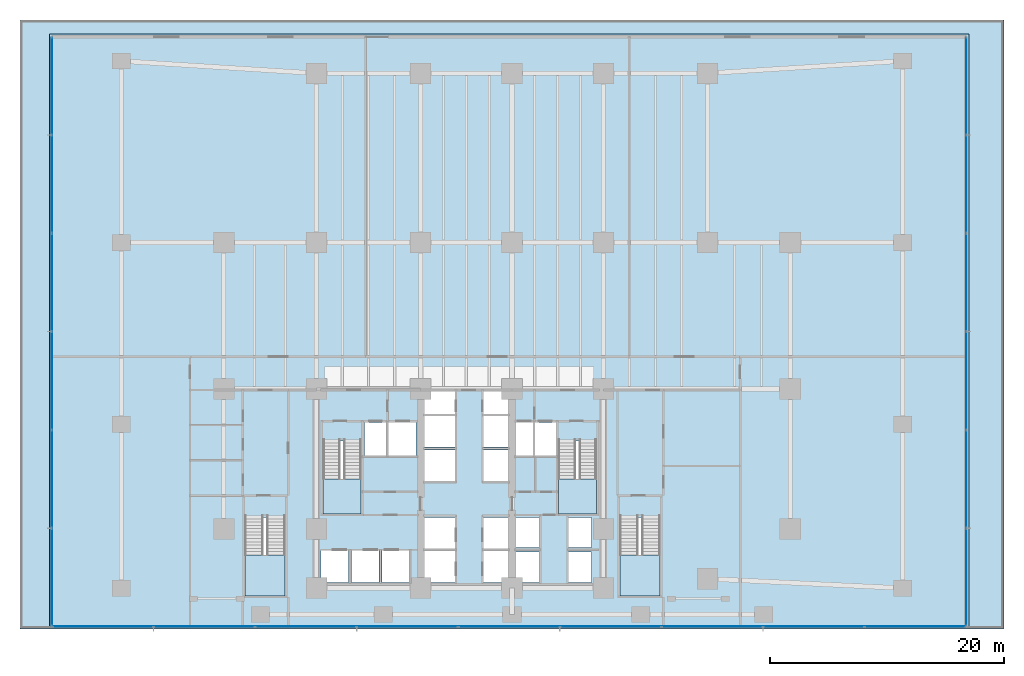
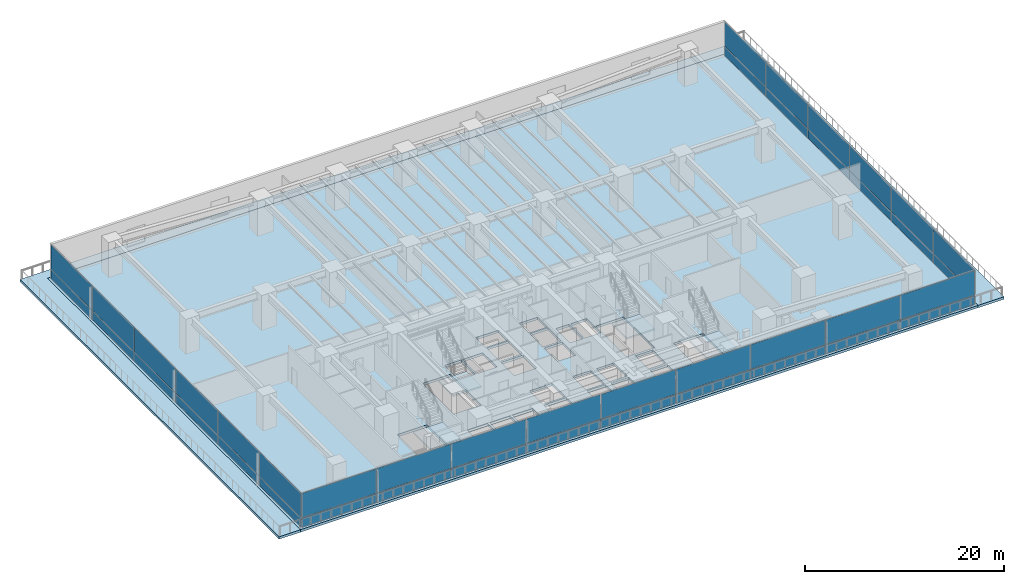
# One storey, part 9 of 27: 42 plates, 6 slabs, 7 elements without a shape of their own.
"""IFC4 building model written with IfcOpenShell, lengths in metres."""

from ifc_helpers import new_model, si_unit, direction, frame, origin, origin_2d, place, context, subcontext, project, spatial, polyline, rectangle, outline, extrude, material, layer, layer_set, type_object, element, aggregate, save


model = new_model("IFC4")

# Units and contexts
model_context = context("Model", 3, precision=1e-05, world=origin(), true_north=direction((0.0, 1.0)))
body_context = subcontext(model_context, "Body", "Model", "MODEL_VIEW")
ifc_project = project(units=[si_unit("LENGTHUNIT", "METRE"), si_unit("AREAUNIT", "SQUARE_METRE"), si_unit("VOLUMEUNIT", "CUBIC_METRE"), si_unit("PLANEANGLEUNIT", "RADIAN"), si_unit("MASSUNIT", "GRAM", prefix="KILO")], contexts=[model_context])

# Site, building, storey
site_placement = place(None, origin())
site = spatial("IfcSite", under=ifc_project, at=site_placement, CompositionType="ELEMENT")
building_placement = place(site_placement, origin())
building = spatial("IfcBuilding", under=site, at=building_placement, Name="Qalmaran Belvedere Hotel", CompositionType="ELEMENT")
storey_placement = place(building_placement, frame((0.0, 0.0, 5.39990234375)))
storey = spatial("IfcBuildingStorey", under=building, at=storey_placement, Name="L01", CompositionType="ELEMENT", Elevation=5.39990234375)

# Curtain wall, plates
ifc_material_1 = material(Name="Anodised Bronze Aluminium", Category="aluminium")
ifc_layer_1 = layer(ifc_material_1, 0.219970703125, Name="Anodised Bronze Aluminium")
ifc_layer_set_1 = layer_set([ifc_layer_1], Name="Anodised Bronze Aluminium")
curtain_wall_type = type_object("IfcCurtainWallType", Name="CW1-PODIUM-BRONZE", PredefinedType="NOTDEFINED", material=ifc_layer_set_1)
curtain_wall_1_placement = place(storey_placement, origin())
curtain_wall_1 = element("IfcCurtainWall", 1, at=curtain_wall_1_placement, inside=storey, type_object=curtain_wall_type, Name="L01 Curtain Wall CW1", PredefinedType="NOTDEFINED")
ifc_material_2 = material(Name="Anodised Bronze Spandrel Panel")
ifc_layer_2 = layer(ifc_material_2, 0.035888671875, Name="Anodised Bronze Spandrel Panel")
ifc_layer_set_2 = layer_set([ifc_layer_2], Name="Anodised Bronze Spandrel Panel")
plate_type_1 = type_object("IfcPlateType", Name="CWP-SPANDREL-36", PredefinedType="CURTAIN_PANEL", material=ifc_layer_set_2)
plate_1_placement = place(storey_placement, frame((2.075439453125, 0.219970703125, 0.070068359375), z_axis=(0.0, 0.0, 1.0), x_axis=(1.0, 0.0, 0.0)))
plate_1 = element("IfcPlate", 2, at=plate_1_placement, type_object=plate_type_1, Name="CW1 panel 1.1", PredefinedType="CURTAIN_PANEL", context=body_context, shape_type="SweptSolid", body=[
    extrude(rectangle(XDim=8.560791015625, YDim=0.035888671875, at=origin_2d()), origin(), (0.0, 0.0, 1.0), 1.09912109375),
])
plate_2_placement = place(storey_placement, frame((10.72998046875, 0.219970703125, 0.070068359375), z_axis=(0.0, 0.0, 1.0), x_axis=(1.0, 0.0, 0.0)))
plate_2 = element("IfcPlate", 3, at=plate_2_placement, type_object=plate_type_1, Name="CW1 panel 2.1", PredefinedType="CURTAIN_PANEL", context=body_context, shape_type="SweptSolid", body=[
    extrude(rectangle(XDim=8.598388671875, YDim=0.035888671875, at=origin_2d()), origin(), (0.0, 0.0, 1.0), 1.09912109375),
])
plate_3_placement = place(storey_placement, frame((19.4033203125, 0.219970703125, 0.070068359375), z_axis=(0.0, 0.0, 1.0), x_axis=(1.0, 0.0, 0.0)))
plate_3 = element("IfcPlate", 4, at=plate_3_placement, type_object=plate_type_1, Name="CW1 panel 3.1", PredefinedType="CURTAIN_PANEL", context=body_context, shape_type="SweptSolid", body=[
    extrude(rectangle(XDim=8.598388671875, YDim=0.035888671875, at=origin_2d()), origin(), (0.0, 0.0, 1.0), 1.09912109375),
])
plate_4_placement = place(storey_placement, frame((28.07666015625, 0.219970703125, 0.070068359375), z_axis=(0.0, 0.0, 1.0), x_axis=(1.0, 0.0, 0.0)))
plate_4 = element("IfcPlate", 5, at=plate_4_placement, type_object=plate_type_1, Name="CW1 panel 4.1", PredefinedType="CURTAIN_PANEL", context=body_context, shape_type="SweptSolid", body=[
    extrude(rectangle(XDim=8.598388671875, YDim=0.035888671875, at=origin_2d()), origin(), (0.0, 0.0, 1.0), 1.09912109375),
])
plate_5_placement = place(storey_placement, frame((36.75, 0.219970703125, 0.070068359375), z_axis=(0.0, 0.0, 1.0), x_axis=(1.0, 0.0, 0.0)))
plate_5 = element("IfcPlate", 6, at=plate_5_placement, type_object=plate_type_1, Name="CW1 panel 5.1", PredefinedType="CURTAIN_PANEL", context=body_context, shape_type="SweptSolid", body=[
    extrude(rectangle(XDim=8.598388671875, YDim=0.035888671875, at=origin_2d()), origin(), (0.0, 0.0, 1.0), 1.09912109375),
])
plate_6_placement = place(storey_placement, frame((45.42333984375, 0.219970703125, 0.070068359375), z_axis=(0.0, 0.0, 1.0), x_axis=(1.0, 0.0, 0.0)))
plate_6 = element("IfcPlate", 7, at=plate_6_placement, type_object=plate_type_1, Name="CW1 panel 6.1", PredefinedType="CURTAIN_PANEL", context=body_context, shape_type="SweptSolid", body=[
    extrude(rectangle(XDim=8.598388671875, YDim=0.035888671875, at=origin_2d()), origin(), (0.0, 0.0, 1.0), 1.09912109375),
])
plate_7_placement = place(storey_placement, frame((54.0966796875, 0.219970703125, 0.070068359375), z_axis=(0.0, 0.0, 1.0), x_axis=(1.0, 0.0, 0.0)))
plate_7 = element("IfcPlate", 8, at=plate_7_placement, type_object=plate_type_1, Name="CW1 panel 7.1", PredefinedType="CURTAIN_PANEL", context=body_context, shape_type="SweptSolid", body=[
    extrude(rectangle(XDim=8.598388671875, YDim=0.035888671875, at=origin_2d()), origin(), (0.0, 0.0, 1.0), 1.09912109375),
])
plate_8_placement = place(storey_placement, frame((62.77001953125, 0.219970703125, 0.070068359375), z_axis=(0.0, 0.0, 1.0), x_axis=(1.0, 0.0, 0.0)))
plate_8 = element("IfcPlate", 9, at=plate_8_placement, type_object=plate_type_1, Name="CW1 panel 8.1", PredefinedType="CURTAIN_PANEL", context=body_context, shape_type="SweptSolid", body=[
    extrude(rectangle(XDim=8.598388671875, YDim=0.035888671875, at=origin_2d()), origin(), (0.0, 0.0, 1.0), 1.09912109375),
])
plate_9_placement = place(storey_placement, frame((71.424560546875, 0.219970703125, 0.070068359375), z_axis=(0.0, 0.0, 1.0), x_axis=(1.0, 0.0, 0.0)))
plate_9 = element("IfcPlate", 10, at=plate_9_placement, type_object=plate_type_1, Name="CW1 panel 9.1", PredefinedType="CURTAIN_PANEL", context=body_context, shape_type="SweptSolid", body=[
    extrude(rectangle(XDim=8.560791015625, YDim=0.035888671875, at=origin_2d()), origin(), (0.0, 0.0, 1.0), 1.09912109375),
])

curtain_wall_2_placement = place(storey_placement, origin())
curtain_wall_2 = element("IfcCurtainWall", 11, at=curtain_wall_2_placement, inside=storey, type_object=curtain_wall_type, Name="L01 Curtain Wall CW1", PredefinedType="NOTDEFINED")
plate_10_placement = place(storey_placement, frame((75.780029296875, 4.435302734375, 0.070068359375), z_axis=(0.0, 0.0, 1.0), x_axis=(0.0, 1.0, 0.0)))
plate_10 = element("IfcPlate", 12, at=plate_10_placement, type_object=plate_type_1, Name="CW1 panel 1.1", PredefinedType="CURTAIN_PANEL", context=body_context, shape_type="SweptSolid", body=[
    extrude(rectangle(XDim=8.28076171875, YDim=0.035888671875, at=origin_2d()), origin(), (0.0, 0.0, 1.0), 1.09912109375),
])
plate_11_placement = place(storey_placement, frame((75.780029296875, 12.81005859375, 0.070068359375), z_axis=(0.0, 0.0, 1.0), x_axis=(0.0, 1.0, 0.0)))
plate_11 = element("IfcPlate", 13, at=plate_11_placement, type_object=plate_type_1, Name="CW1 panel 2.1", PredefinedType="CURTAIN_PANEL", context=body_context, shape_type="SweptSolid", body=[
    extrude(rectangle(XDim=8.318359375, YDim=0.035888671875, at=origin_2d()), origin(), (0.0, 0.0, 1.0), 1.09912109375),
])
plate_12_placement = place(storey_placement, frame((75.780029296875, 21.203369140625, 0.070068359375), z_axis=(0.0, 0.0, 1.0), x_axis=(0.0, 1.0, 0.0)))
plate_12 = element("IfcPlate", 14, at=plate_12_placement, type_object=plate_type_1, Name="CW1 panel 3.1", PredefinedType="CURTAIN_PANEL", context=body_context, shape_type="SweptSolid", body=[
    extrude(rectangle(XDim=8.318359375, YDim=0.035888671875, at=origin_2d()), origin(), (0.0, 0.0, 1.0), 1.09912109375),
])
plate_13_placement = place(storey_placement, frame((75.780029296875, 29.5966796875, 0.070068359375), z_axis=(0.0, 0.0, 1.0), x_axis=(0.0, 1.0, 0.0)))
plate_13 = element("IfcPlate", 15, at=plate_13_placement, type_object=plate_type_1, Name="CW1 panel 4.1", PredefinedType="CURTAIN_PANEL", context=body_context, shape_type="SweptSolid", body=[
    extrude(rectangle(XDim=8.318359375, YDim=0.035888671875, at=origin_2d()), origin(), (0.0, 0.0, 1.0), 1.09912109375),
])
plate_14_placement = place(storey_placement, frame((75.780029296875, 37.989990234375, 0.070068359375), z_axis=(0.0, 0.0, 1.0), x_axis=(0.0, 1.0, 0.0)))
plate_14 = element("IfcPlate", 16, at=plate_14_placement, type_object=plate_type_1, Name="CW1 panel 5.1", PredefinedType="CURTAIN_PANEL", context=body_context, shape_type="SweptSolid", body=[
    extrude(rectangle(XDim=8.318359375, YDim=0.035888671875, at=origin_2d()), origin(), (0.0, 0.0, 1.0), 1.09912109375),
])
plate_15_placement = place(storey_placement, frame((75.780029296875, 46.364501953125, 0.070068359375), z_axis=(0.0, 0.0, 1.0), x_axis=(0.0, 1.0, 0.0)))
plate_15 = element("IfcPlate", 17, at=plate_15_placement, type_object=plate_type_1, Name="CW1 panel 6.1", PredefinedType="CURTAIN_PANEL", context=body_context, shape_type="SweptSolid", body=[
    extrude(rectangle(XDim=8.28076171875, YDim=0.035888671875, at=origin_2d()), origin(), (0.0, 0.0, 1.0), 1.09912109375),
])

curtain_wall_3_placement = place(storey_placement, origin())
curtain_wall_3 = element("IfcCurtainWall", 18, at=curtain_wall_3_placement, inside=storey, type_object=curtain_wall_type, Name="L01 Curtain Wall CW1", PredefinedType="NOTDEFINED")
plate_16_placement = place(storey_placement, frame((-2.280029296875, 46.364501953125, 0.070068359375), z_axis=(0.0, 0.0, 1.0), x_axis=(0.0, -1.0, 0.0)))
plate_16 = element("IfcPlate", 19, at=plate_16_placement, type_object=plate_type_1, Name="CW1 panel 1.1", PredefinedType="CURTAIN_PANEL", context=body_context, shape_type="SweptSolid", body=[
    extrude(rectangle(XDim=8.28076171875, YDim=0.035888671875, at=origin_2d()), origin(), (0.0, 0.0, 1.0), 1.09912109375),
])
plate_17_placement = place(storey_placement, frame((-2.280029296875, 37.989990234375, 0.070068359375), z_axis=(0.0, 0.0, 1.0), x_axis=(0.0, -1.0, 0.0)))
plate_17 = element("IfcPlate", 20, at=plate_17_placement, type_object=plate_type_1, Name="CW1 panel 2.1", PredefinedType="CURTAIN_PANEL", context=body_context, shape_type="SweptSolid", body=[
    extrude(rectangle(XDim=8.318359375, YDim=0.035888671875, at=origin_2d()), origin(), (0.0, 0.0, 1.0), 1.09912109375),
])
plate_18_placement = place(storey_placement, frame((-2.280029296875, 29.5966796875, 0.070068359375), z_axis=(0.0, 0.0, 1.0), x_axis=(0.0, -1.0, 0.0)))
plate_18 = element("IfcPlate", 21, at=plate_18_placement, type_object=plate_type_1, Name="CW1 panel 3.1", PredefinedType="CURTAIN_PANEL", context=body_context, shape_type="SweptSolid", body=[
    extrude(rectangle(XDim=8.318359375, YDim=0.035888671875, at=origin_2d()), origin(), (0.0, 0.0, 1.0), 1.09912109375),
])
plate_19_placement = place(storey_placement, frame((-2.280029296875, 21.203369140625, 0.070068359375), z_axis=(0.0, 0.0, 1.0), x_axis=(0.0, -1.0, 0.0)))
plate_19 = element("IfcPlate", 22, at=plate_19_placement, type_object=plate_type_1, Name="CW1 panel 4.1", PredefinedType="CURTAIN_PANEL", context=body_context, shape_type="SweptSolid", body=[
    extrude(rectangle(XDim=8.318359375, YDim=0.035888671875, at=origin_2d()), origin(), (0.0, 0.0, 1.0), 1.09912109375),
])
plate_20_placement = place(storey_placement, frame((-2.280029296875, 12.81005859375, 0.070068359375), z_axis=(0.0, 0.0, 1.0), x_axis=(0.0, -1.0, 0.0)))
plate_20 = element("IfcPlate", 23, at=plate_20_placement, type_object=plate_type_1, Name="CW1 panel 5.1", PredefinedType="CURTAIN_PANEL", context=body_context, shape_type="SweptSolid", body=[
    extrude(rectangle(XDim=8.318359375, YDim=0.035888671875, at=origin_2d()), origin(), (0.0, 0.0, 1.0), 1.09912109375),
])
plate_21_placement = place(storey_placement, frame((-2.280029296875, 4.435302734375, 0.070068359375), z_axis=(0.0, 0.0, 1.0), x_axis=(0.0, -1.0, 0.0)))
plate_21 = element("IfcPlate", 24, at=plate_21_placement, type_object=plate_type_1, Name="CW1 panel 6.1", PredefinedType="CURTAIN_PANEL", context=body_context, shape_type="SweptSolid", body=[
    extrude(rectangle(XDim=8.28076171875, YDim=0.035888671875, at=origin_2d()), origin(), (0.0, 0.0, 1.0), 1.09912109375),
])

# Plate
ifc_material_3 = material(Name="Solar-Control Double Glazing", Category="glass")
ifc_layer_3 = layer(ifc_material_3, 0.028076171875, Name="Solar-Control Double Glazing")
ifc_layer_set_3 = layer_set([ifc_layer_3], Name="Solar-Control Double Glazing")
plate_type_2 = type_object("IfcPlateType", Name="CWP-VISION-28", PredefinedType="CURTAIN_PANEL", material=ifc_layer_set_3)
plate_22_placement = place(storey_placement, frame((2.075439453125, 0.219970703125, 1.2392578125), z_axis=(0.0, 0.0, 1.0), x_axis=(1.0, 0.0, 0.0)))
plate_22 = element("IfcPlate", 25, at=plate_22_placement, type_object=plate_type_2, Name="CW1 panel 1.2", PredefinedType="CURTAIN_PANEL", context=body_context, shape_type="SweptSolid", body=[
    extrude(rectangle(XDim=8.560791015625, YDim=0.028076171875, at=origin_2d()), origin(), (0.0, 0.0, 1.0), 2.990966796875),
])

plate_23_placement = place(storey_placement, frame((10.72998046875, 0.219970703125, 1.2392578125), z_axis=(0.0, 0.0, 1.0), x_axis=(1.0, 0.0, 0.0)))
plate_23 = element("IfcPlate", 26, at=plate_23_placement, type_object=plate_type_2, Name="CW1 panel 2.2", PredefinedType="CURTAIN_PANEL", context=body_context, shape_type="SweptSolid", body=[
    extrude(rectangle(XDim=8.598388671875, YDim=0.028076171875, at=origin_2d()), origin(), (0.0, 0.0, 1.0), 2.990966796875),
])

plate_24_placement = place(storey_placement, frame((19.4033203125, 0.219970703125, 1.2392578125), z_axis=(0.0, 0.0, 1.0), x_axis=(1.0, 0.0, 0.0)))
plate_24 = element("IfcPlate", 27, at=plate_24_placement, type_object=plate_type_2, Name="CW1 panel 3.2", PredefinedType="CURTAIN_PANEL", context=body_context, shape_type="SweptSolid", body=[
    extrude(rectangle(XDim=8.598388671875, YDim=0.028076171875, at=origin_2d()), origin(), (0.0, 0.0, 1.0), 2.990966796875),
])

plate_25_placement = place(storey_placement, frame((28.07666015625, 0.219970703125, 1.2392578125), z_axis=(0.0, 0.0, 1.0), x_axis=(1.0, 0.0, 0.0)))
plate_25 = element("IfcPlate", 28, at=plate_25_placement, type_object=plate_type_2, Name="CW1 panel 4.2", PredefinedType="CURTAIN_PANEL", context=body_context, shape_type="SweptSolid", body=[
    extrude(rectangle(XDim=8.598388671875, YDim=0.028076171875, at=origin_2d()), origin(), (0.0, 0.0, 1.0), 2.990966796875),
])

plate_26_placement = place(storey_placement, frame((36.75, 0.219970703125, 1.2392578125), z_axis=(0.0, 0.0, 1.0), x_axis=(1.0, 0.0, 0.0)))
plate_26 = element("IfcPlate", 29, at=plate_26_placement, type_object=plate_type_2, Name="CW1 panel 5.2", PredefinedType="CURTAIN_PANEL", context=body_context, shape_type="SweptSolid", body=[
    extrude(rectangle(XDim=8.598388671875, YDim=0.028076171875, at=origin_2d()), origin(), (0.0, 0.0, 1.0), 2.990966796875),
])

plate_27_placement = place(storey_placement, frame((45.42333984375, 0.219970703125, 1.2392578125), z_axis=(0.0, 0.0, 1.0), x_axis=(1.0, 0.0, 0.0)))
plate_27 = element("IfcPlate", 30, at=plate_27_placement, type_object=plate_type_2, Name="CW1 panel 6.2", PredefinedType="CURTAIN_PANEL", context=body_context, shape_type="SweptSolid", body=[
    extrude(rectangle(XDim=8.598388671875, YDim=0.028076171875, at=origin_2d()), origin(), (0.0, 0.0, 1.0), 2.990966796875),
])

plate_28_placement = place(storey_placement, frame((54.0966796875, 0.219970703125, 1.2392578125), z_axis=(0.0, 0.0, 1.0), x_axis=(1.0, 0.0, 0.0)))
plate_28 = element("IfcPlate", 31, at=plate_28_placement, type_object=plate_type_2, Name="CW1 panel 7.2", PredefinedType="CURTAIN_PANEL", context=body_context, shape_type="SweptSolid", body=[
    extrude(rectangle(XDim=8.598388671875, YDim=0.028076171875, at=origin_2d()), origin(), (0.0, 0.0, 1.0), 2.990966796875),
])

plate_29_placement = place(storey_placement, frame((62.77001953125, 0.219970703125, 1.2392578125), z_axis=(0.0, 0.0, 1.0), x_axis=(1.0, 0.0, 0.0)))
plate_29 = element("IfcPlate", 32, at=plate_29_placement, type_object=plate_type_2, Name="CW1 panel 8.2", PredefinedType="CURTAIN_PANEL", context=body_context, shape_type="SweptSolid", body=[
    extrude(rectangle(XDim=8.598388671875, YDim=0.028076171875, at=origin_2d()), origin(), (0.0, 0.0, 1.0), 2.990966796875),
])

plate_30_placement = place(storey_placement, frame((71.424560546875, 0.219970703125, 1.2392578125), z_axis=(0.0, 0.0, 1.0), x_axis=(1.0, 0.0, 0.0)))
plate_30 = element("IfcPlate", 33, at=plate_30_placement, type_object=plate_type_2, Name="CW1 panel 9.2", PredefinedType="CURTAIN_PANEL", context=body_context, shape_type="SweptSolid", body=[
    extrude(rectangle(XDim=8.560791015625, YDim=0.028076171875, at=origin_2d()), origin(), (0.0, 0.0, 1.0), 2.990966796875),
])

aggregate(curtain_wall_1, [plate_1, plate_22, plate_2, plate_23, plate_3, plate_24, plate_4, plate_25, plate_5, plate_26, plate_6, plate_27, plate_7, plate_28, plate_8, plate_29, plate_9, plate_30])

plate_31_placement = place(storey_placement, frame((75.780029296875, 4.435302734375, 1.2392578125), z_axis=(0.0, 0.0, 1.0), x_axis=(0.0, 1.0, 0.0)))
plate_31 = element("IfcPlate", 34, at=plate_31_placement, type_object=plate_type_2, Name="CW1 panel 1.2", PredefinedType="CURTAIN_PANEL", context=body_context, shape_type="SweptSolid", body=[
    extrude(rectangle(XDim=8.28076171875, YDim=0.028076171875, at=origin_2d()), origin(), (0.0, 0.0, 1.0), 2.990966796875),
])

plate_32_placement = place(storey_placement, frame((75.780029296875, 12.81005859375, 1.2392578125), z_axis=(0.0, 0.0, 1.0), x_axis=(0.0, 1.0, 0.0)))
plate_32 = element("IfcPlate", 35, at=plate_32_placement, type_object=plate_type_2, Name="CW1 panel 2.2", PredefinedType="CURTAIN_PANEL", context=body_context, shape_type="SweptSolid", body=[
    extrude(rectangle(XDim=8.318359375, YDim=0.028076171875, at=origin_2d()), origin(), (0.0, 0.0, 1.0), 2.990966796875),
])

plate_33_placement = place(storey_placement, frame((75.780029296875, 21.203369140625, 1.2392578125), z_axis=(0.0, 0.0, 1.0), x_axis=(0.0, 1.0, 0.0)))
plate_33 = element("IfcPlate", 36, at=plate_33_placement, type_object=plate_type_2, Name="CW1 panel 3.2", PredefinedType="CURTAIN_PANEL", context=body_context, shape_type="SweptSolid", body=[
    extrude(rectangle(XDim=8.318359375, YDim=0.028076171875, at=origin_2d()), origin(), (0.0, 0.0, 1.0), 2.990966796875),
])

plate_34_placement = place(storey_placement, frame((75.780029296875, 29.5966796875, 1.2392578125), z_axis=(0.0, 0.0, 1.0), x_axis=(0.0, 1.0, 0.0)))
plate_34 = element("IfcPlate", 37, at=plate_34_placement, type_object=plate_type_2, Name="CW1 panel 4.2", PredefinedType="CURTAIN_PANEL", context=body_context, shape_type="SweptSolid", body=[
    extrude(rectangle(XDim=8.318359375, YDim=0.028076171875, at=origin_2d()), origin(), (0.0, 0.0, 1.0), 2.990966796875),
])

plate_35_placement = place(storey_placement, frame((75.780029296875, 37.989990234375, 1.2392578125), z_axis=(0.0, 0.0, 1.0), x_axis=(0.0, 1.0, 0.0)))
plate_35 = element("IfcPlate", 38, at=plate_35_placement, type_object=plate_type_2, Name="CW1 panel 5.2", PredefinedType="CURTAIN_PANEL", context=body_context, shape_type="SweptSolid", body=[
    extrude(rectangle(XDim=8.318359375, YDim=0.028076171875, at=origin_2d()), origin(), (0.0, 0.0, 1.0), 2.990966796875),
])

plate_36_placement = place(storey_placement, frame((75.780029296875, 46.364501953125, 1.2392578125), z_axis=(0.0, 0.0, 1.0), x_axis=(0.0, 1.0, 0.0)))
plate_36 = element("IfcPlate", 39, at=plate_36_placement, type_object=plate_type_2, Name="CW1 panel 6.2", PredefinedType="CURTAIN_PANEL", context=body_context, shape_type="SweptSolid", body=[
    extrude(rectangle(XDim=8.28076171875, YDim=0.028076171875, at=origin_2d()), origin(), (0.0, 0.0, 1.0), 2.990966796875),
])

aggregate(curtain_wall_2, [plate_10, plate_31, plate_11, plate_32, plate_12, plate_33, plate_13, plate_34, plate_14, plate_35, plate_15, plate_36])

plate_37_placement = place(storey_placement, frame((-2.280029296875, 46.364501953125, 1.2392578125), z_axis=(0.0, 0.0, 1.0), x_axis=(0.0, -1.0, 0.0)))
plate_37 = element("IfcPlate", 40, at=plate_37_placement, type_object=plate_type_2, Name="CW1 panel 1.2", PredefinedType="CURTAIN_PANEL", context=body_context, shape_type="SweptSolid", body=[
    extrude(rectangle(XDim=8.28076171875, YDim=0.028076171875, at=origin_2d()), origin(), (0.0, 0.0, 1.0), 2.990966796875),
])

plate_38_placement = place(storey_placement, frame((-2.280029296875, 37.989990234375, 1.2392578125), z_axis=(0.0, 0.0, 1.0), x_axis=(0.0, -1.0, 0.0)))
plate_38 = element("IfcPlate", 41, at=plate_38_placement, type_object=plate_type_2, Name="CW1 panel 2.2", PredefinedType="CURTAIN_PANEL", context=body_context, shape_type="SweptSolid", body=[
    extrude(rectangle(XDim=8.318359375, YDim=0.028076171875, at=origin_2d()), origin(), (0.0, 0.0, 1.0), 2.990966796875),
])

plate_39_placement = place(storey_placement, frame((-2.280029296875, 29.5966796875, 1.2392578125), z_axis=(0.0, 0.0, 1.0), x_axis=(0.0, -1.0, 0.0)))
plate_39 = element("IfcPlate", 42, at=plate_39_placement, type_object=plate_type_2, Name="CW1 panel 3.2", PredefinedType="CURTAIN_PANEL", context=body_context, shape_type="SweptSolid", body=[
    extrude(rectangle(XDim=8.318359375, YDim=0.028076171875, at=origin_2d()), origin(), (0.0, 0.0, 1.0), 2.990966796875),
])

plate_40_placement = place(storey_placement, frame((-2.280029296875, 21.203369140625, 1.2392578125), z_axis=(0.0, 0.0, 1.0), x_axis=(0.0, -1.0, 0.0)))
plate_40 = element("IfcPlate", 43, at=plate_40_placement, type_object=plate_type_2, Name="CW1 panel 4.2", PredefinedType="CURTAIN_PANEL", context=body_context, shape_type="SweptSolid", body=[
    extrude(rectangle(XDim=8.318359375, YDim=0.028076171875, at=origin_2d()), origin(), (0.0, 0.0, 1.0), 2.990966796875),
])

plate_41_placement = place(storey_placement, frame((-2.280029296875, 12.81005859375, 1.2392578125), z_axis=(0.0, 0.0, 1.0), x_axis=(0.0, -1.0, 0.0)))
plate_41 = element("IfcPlate", 44, at=plate_41_placement, type_object=plate_type_2, Name="CW1 panel 5.2", PredefinedType="CURTAIN_PANEL", context=body_context, shape_type="SweptSolid", body=[
    extrude(rectangle(XDim=8.318359375, YDim=0.028076171875, at=origin_2d()), origin(), (0.0, 0.0, 1.0), 2.990966796875),
])

plate_42_placement = place(storey_placement, frame((-2.280029296875, 4.435302734375, 1.2392578125), z_axis=(0.0, 0.0, 1.0), x_axis=(0.0, -1.0, 0.0)))
plate_42 = element("IfcPlate", 45, at=plate_42_placement, type_object=plate_type_2, Name="CW1 panel 6.2", PredefinedType="CURTAIN_PANEL", context=body_context, shape_type="SweptSolid", body=[
    extrude(rectangle(XDim=8.28076171875, YDim=0.028076171875, at=origin_2d()), origin(), (0.0, 0.0, 1.0), 2.990966796875),
])

aggregate(curtain_wall_3, [plate_16, plate_37, plate_17, plate_38, plate_18, plate_39, plate_19, plate_40, plate_20, plate_41, plate_21, plate_42])

# Slab
ifc_material_4 = material(Name="Concrete C40/50", Category="concrete")
ifc_layer_4 = layer(ifc_material_4, 0.300048828125, Name="Concrete C40/50")
ifc_layer_set_4 = layer_set([ifc_layer_4], Name="Concrete C40/50")
slab_type_1 = type_object("IfcSlabType", Name="SLB-POD-300", PredefinedType="FLOOR", material=ifc_layer_set_4)
slab_1_placement = place(storey_placement, frame((0.0, 0.0, -0.2998046875)))
element("IfcSlab", 46, at=slab_1_placement, inside=storey, type_object=slab_type_1, Name="L01 Structural Floor Slab", PredefinedType="FLOOR", context=body_context, shape_type="SweptSolid", body=[
    extrude(outline(polyline([(-2.5, 0.0), (76.0, 0.0), (76.0, 50.800048828125), (-2.5, 50.800048828125), (-2.5, 0.0)]), holes=[polyline([(20.8798828125, 9.85009765625), (24.1201171875, 9.85009765625), (24.1201171875, 16.0400390625), (20.8798828125, 16.0400390625), (20.8798828125, 9.85009765625)]), polyline([(40.9599609375, 9.85009765625), (44.199951171875, 9.85009765625), (44.199951171875, 16.0400390625), (40.9599609375, 16.0400390625), (40.9599609375, 9.85009765625)]), polyline([(14.199951171875, 2.85009765625), (17.639892578125, 2.85009765625), (17.639892578125, 9.550048828125), (14.199951171875, 9.550048828125), (14.199951171875, 2.85009765625)]), polyline([(46.199951171875, 2.85009765625), (49.639892578125, 2.85009765625), (49.639892578125, 9.550048828125), (46.199951171875, 9.550048828125), (46.199951171875, 2.85009765625)]), polyline([(29.544921875, 4.0), (32.14990234375, 4.0), (32.14990234375, 6.64990234375), (29.544921875, 6.64990234375), (29.544921875, 4.0)]), polyline([(29.544921875, 6.89990234375), (32.14990234375, 6.89990234375), (32.14990234375, 9.550048828125), (29.544921875, 9.550048828125), (29.544921875, 6.89990234375)]), polyline([(34.550048828125, 4.0), (36.655029296875, 4.0), (36.655029296875, 6.64990234375), (34.550048828125, 6.64990234375), (34.550048828125, 4.0)]), polyline([(34.550048828125, 6.89990234375), (36.655029296875, 6.89990234375), (36.655029296875, 9.550048828125), (34.550048828125, 9.550048828125), (34.550048828125, 6.89990234375)]), polyline([(29.544921875, 12.64990234375), (32.14990234375, 12.64990234375), (32.14990234375, 15.300048828125), (29.544921875, 15.300048828125), (29.544921875, 12.64990234375)]), polyline([(29.544921875, 15.550048828125), (32.14990234375, 15.550048828125), (32.14990234375, 18.199951171875), (29.544921875, 18.199951171875), (29.544921875, 15.550048828125)]), polyline([(34.550048828125, 12.64990234375), (36.655029296875, 12.64990234375), (36.655029296875, 15.300048828125), (34.550048828125, 15.300048828125), (34.550048828125, 12.64990234375)]), polyline([(34.550048828125, 15.550048828125), (36.655029296875, 15.550048828125), (36.655029296875, 18.199951171875), (34.550048828125, 18.199951171875), (34.550048828125, 15.550048828125)]), polyline([(37.300048828125, 4.0), (39.35009765625, 4.0), (39.35009765625, 6.60009765625), (37.300048828125, 6.60009765625), (37.300048828125, 4.0)]), polyline([(37.300048828125, 6.949951171875), (39.35009765625, 6.949951171875), (39.35009765625, 9.550048828125), (37.300048828125, 9.550048828125), (37.300048828125, 6.949951171875)]), polyline([(41.800048828125, 4.0), (43.800048828125, 4.0), (43.800048828125, 6.60009765625), (41.800048828125, 6.60009765625), (41.800048828125, 4.0)]), polyline([(41.800048828125, 6.949951171875), (43.800048828125, 6.949951171875), (43.800048828125, 9.550048828125), (41.800048828125, 9.550048828125), (41.800048828125, 6.949951171875)]), polyline([(20.699951171875, 4.0), (23.050048828125, 4.0), (23.050048828125, 6.699951171875), (20.699951171875, 6.699951171875), (20.699951171875, 4.0)]), polyline([(23.300048828125, 4.0), (25.64990234375, 4.0), (25.64990234375, 6.699951171875), (23.300048828125, 6.699951171875), (23.300048828125, 4.0)]), polyline([(25.89990234375, 4.0), (28.25, 4.0), (28.25, 6.699951171875), (25.89990234375, 6.699951171875), (25.89990234375, 4.0)]), polyline([(24.39990234375, 14.800048828125), (26.300048828125, 14.800048828125), (26.300048828125, 17.64990234375), (24.39990234375, 17.64990234375), (24.39990234375, 14.800048828125)]), polyline([(38.949951171875, 14.800048828125), (40.820068359375, 14.800048828125), (40.820068359375, 17.64990234375), (38.949951171875, 17.64990234375), (38.949951171875, 14.800048828125)]), polyline([(26.449951171875, 14.800048828125), (28.800048828125, 14.800048828125), (28.800048828125, 17.64990234375), (26.449951171875, 17.64990234375), (26.449951171875, 14.800048828125)]), polyline([(37.25, 14.800048828125), (38.800048828125, 14.800048828125), (38.800048828125, 17.64990234375), (37.25, 17.64990234375), (37.25, 14.800048828125)]), polyline([(29.544921875, 18.3798828125), (32.1201171875, 18.3798828125), (32.1201171875, 20.300048828125), (29.544921875, 20.300048828125), (29.544921875, 18.3798828125)]), polyline([(34.580078125, 18.3798828125), (36.655029296875, 18.3798828125), (36.655029296875, 20.300048828125), (34.580078125, 20.300048828125), (34.580078125, 18.3798828125)])]), origin(), (0.0, 0.0, 1.0), 0.2998046875),
])

# Stair, slab
stair_type_1 = type_object("IfcStairType", Name="STR-ST-1-1450-R1769", PredefinedType="HALF_TURN_STAIR", material=ifc_material_4)
stair_1_placement = place(storey_placement, origin())
stair_1 = element("IfcStair", 47, at=stair_1_placement, inside=storey, type_object=stair_type_1, Name="L01 West Core Exit Stair ST-1", PredefinedType="HALF_TURN_STAIR")
ifc_layer_5 = layer(ifc_material_4, 0.199951171875, Name="Concrete C40/50")
ifc_layer_set_5 = layer_set([ifc_layer_5], Name="Concrete C40/50")
slab_type_2 = type_object("IfcSlabType", Name="SLB-STAIR-LANDING-200", PredefinedType="LANDING", material=ifc_layer_set_5)
slab_2_placement = place(storey_placement, frame((0.0, 0.0, 2.10009765625)))
slab_2 = element("IfcSlab", 48, at=slab_2_placement, type_object=slab_type_2, Name="ST-1 landing 1", PredefinedType="LANDING", context=body_context, shape_type="SweptSolid", body=[
    extrude(outline(polyline([(20.8798828125, 12.830078125), (20.8798828125, 9.85009765625), (24.1201171875, 9.85009765625), (24.1201171875, 12.830078125), (20.8798828125, 12.830078125)])), origin(), (0.0, 0.0, 1.0), 0.199951171875),
])
aggregate(stair_1, [slab_2])

stair_type_2 = type_object("IfcStairType", Name="STR-ST-2-1450-R1769", PredefinedType="HALF_TURN_STAIR", material=ifc_material_4)
stair_2_placement = place(storey_placement, origin())
stair_2 = element("IfcStair", 49, at=stair_2_placement, inside=storey, type_object=stair_type_2, Name="L01 East Core Exit Stair ST-2", PredefinedType="HALF_TURN_STAIR")
slab_3_placement = place(storey_placement, frame((0.0, 0.0, 2.10009765625)))
slab_3 = element("IfcSlab", 50, at=slab_3_placement, type_object=slab_type_2, Name="ST-2 landing 1", PredefinedType="LANDING", context=body_context, shape_type="SweptSolid", body=[
    extrude(outline(polyline([(40.9599609375, 12.830078125), (40.9599609375, 9.85009765625), (44.199951171875, 9.85009765625), (44.199951171875, 12.830078125), (40.9599609375, 12.830078125)])), origin(), (0.0, 0.0, 1.0), 0.199951171875),
])
aggregate(stair_2, [slab_3])

stair_type_3 = type_object("IfcStairType", Name="STR-ST-P1-1550-R1769", PredefinedType="HALF_TURN_STAIR", material=ifc_material_4)
stair_3_placement = place(storey_placement, origin())
stair_3 = element("IfcStair", 51, at=stair_3_placement, inside=storey, type_object=stair_type_3, Name="L01 West Podium Exit Stair ST-P1", PredefinedType="HALF_TURN_STAIR")
slab_4_placement = place(storey_placement, frame((0.0, 0.0, 2.10009765625)))
slab_4 = element("IfcSlab", 52, at=slab_4_placement, type_object=slab_type_2, Name="ST-P1 landing 1", PredefinedType="LANDING", context=body_context, shape_type="SweptSolid", body=[
    extrude(outline(polyline([(14.199951171875, 6.340087890625), (14.199951171875, 2.85009765625), (17.639892578125, 2.85009765625), (17.639892578125, 6.340087890625), (14.199951171875, 6.340087890625)])), origin(), (0.0, 0.0, 1.0), 0.199951171875),
])
aggregate(stair_3, [slab_4])

stair_type_4 = type_object("IfcStairType", Name="STR-ST-P2-1550-R1769", PredefinedType="HALF_TURN_STAIR", material=ifc_material_4)
stair_4_placement = place(storey_placement, origin())
stair_4 = element("IfcStair", 53, at=stair_4_placement, inside=storey, type_object=stair_type_4, Name="L01 East Podium Exit Stair ST-P2", PredefinedType="HALF_TURN_STAIR")
slab_5_placement = place(storey_placement, frame((0.0, 0.0, 2.10009765625)))
slab_5 = element("IfcSlab", 54, at=slab_5_placement, type_object=slab_type_2, Name="ST-P2 landing 1", PredefinedType="LANDING", context=body_context, shape_type="SweptSolid", body=[
    extrude(outline(polyline([(46.199951171875, 6.340087890625), (46.199951171875, 2.85009765625), (49.639892578125, 2.85009765625), (49.639892578125, 6.340087890625), (46.199951171875, 6.340087890625)])), origin(), (0.0, 0.0, 1.0), 0.199951171875),
])
aggregate(stair_4, [slab_5])

# Slab
ifc_layer_6 = layer(ifc_material_4, 0.300048828125, Name="Concrete C40/50")
ifc_layer_set_6 = layer_set([ifc_layer_6], Name="Concrete C40/50")
slab_type_3 = type_object("IfcSlabType", Name="SLB-TER-300", PredefinedType="ROOF", material=ifc_layer_set_6)
slab_6_placement = place(storey_placement, frame((0.0, 0.0, -0.2998046875)))
element("IfcSlab", 55, at=slab_6_placement, inside=storey, type_object=slab_type_3, Name="L01 Podium Roof Terrace 1", PredefinedType="ROOF", context=body_context, shape_type="SweptSolid", body=[
    extrude(outline(polyline([(-5.0, 0.0), (-5.0, 52.0), (79.0, 52.0), (79.0, 0.0), (76.0, 0.0), (76.0, 50.800048828125), (-2.5, 50.800048828125), (-2.5, 0.0), (-5.0, 0.0)])), origin(), (0.0, 0.0, 1.0), 0.2998046875),
])

save(model, "model.ifc")
